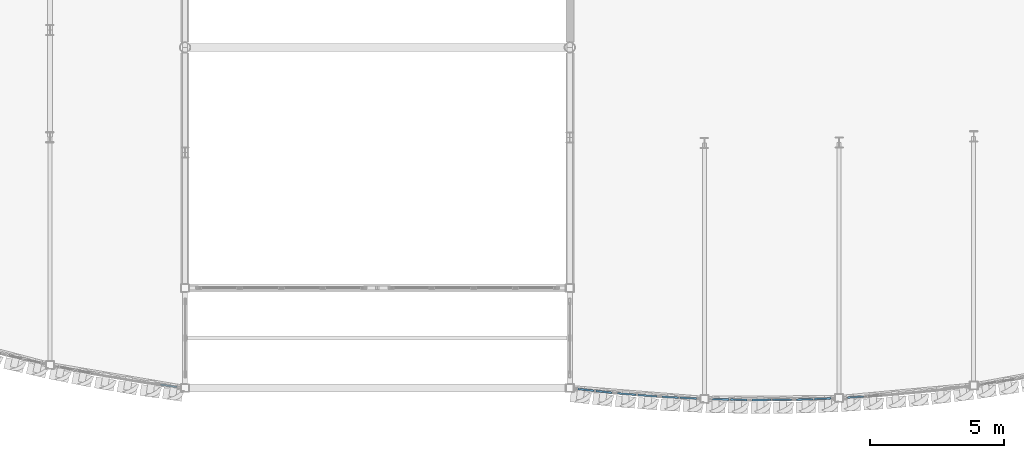
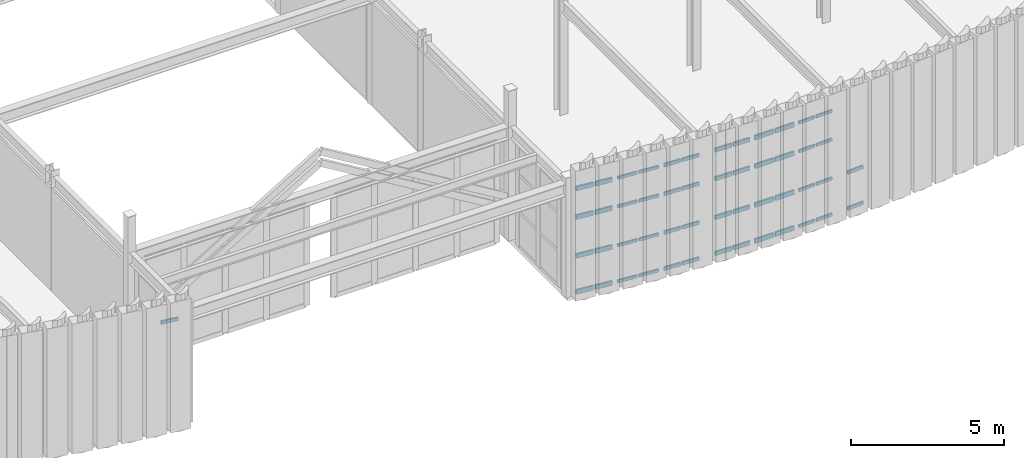
# One storey, part 75 of 126: 51 members, 8 elements without a shape of their own.
"""IFC4 building model written with IfcOpenShell, lengths in metres."""

from ifc_helpers import new_model, si_unit, direction, frame, origin, origin_2d, place, context, subcontext, project, spatial, hollow_rectangle, extrude, material, layer, layer_set, material_profile, profile_set, type_object, element, aggregate, save


model = new_model("IFC4")

# Units and contexts
model_context = context("Model", 3, precision=1e-05, world=origin(), true_north=direction((0.0, 1.0)))
body_context = subcontext(model_context, "Body", "Model", "MODEL_VIEW")
ifc_project = project(units=[si_unit("LENGTHUNIT", "METRE"), si_unit("AREAUNIT", "SQUARE_METRE"), si_unit("VOLUMEUNIT", "CUBIC_METRE"), si_unit("PLANEANGLEUNIT", "RADIAN"), si_unit("MASSUNIT", "GRAM", prefix="KILO")], contexts=[model_context])

# Site, building, storey
site_placement = place(None, origin())
site = spatial("IfcSite", under=ifc_project, at=site_placement, CompositionType="ELEMENT")
building_placement = place(site_placement, origin())
building = spatial("IfcBuilding", under=site, at=building_placement, Name="Solvadek Multi-Sports Hall", CompositionType="ELEMENT")
storey_placement = place(building_placement, frame((0.0, 0.0, 9.60009765625)))
storey = spatial("IfcBuildingStorey", under=building, at=storey_placement, Name="L02", CompositionType="ELEMENT", Elevation=9.60009765625)

# Curtain wall, members
ifc_material = material(Name="Anodised aluminium", Category="aluminium")
ifc_layer_1 = layer(ifc_material, 0.159912109375, Name="Anodised aluminium")
ifc_layer_set_1 = layer_set([ifc_layer_1], Name="Anodised aluminium")
curtain_wall_type_1 = type_object("IfcCurtainWallType", Name="ENV-CW-163X420", PredefinedType="USERDEFINED", material=ifc_layer_set_1)
curtain_wall_1_placement = place(storey_placement, origin())
curtain_wall_1 = element("IfcCurtainWall", 1, at=curtain_wall_1_placement, inside=storey, type_object=curtain_wall_type_1, Name="L02 Crescent Curved Curtain Wall #58", ObjectType="CURTAIN WALL", PredefinedType="USERDEFINED")
ifc_material_profile_1 = material_profile(ifc_material, hollow_rectangle(XDim=0.06005859375, YDim=0.1201171875, WallThickness=0.00390625, at=origin_2d()), Name="ALU-T 120x60x4")
ifc_profile_set_1 = profile_set([ifc_material_profile_1], Name="Anodised aluminium")
member_type_1 = type_object("IfcMemberType", Name="ENV-CWT-01", PredefinedType="USERDEFINED", material=ifc_profile_set_1)
member_1_placement = place(storey_placement, frame((88.1796875, -12.945556640625, 0.02978515625), z_axis=(0.996735804633, -0.080732495079, 0.0), x_axis=(0.080732495079, 0.996735804633, 0.0)))
member_1 = element("IfcMember", 2, at=member_1_placement, type_object=member_type_1, Name="CW-15 transom 1.1", ObjectType="TRANSOM", PredefinedType="USERDEFINED", context=body_context, shape_type="SweptSolid", body=[
    extrude(hollow_rectangle(XDim=0.06005859375, YDim=0.1201171875, WallThickness=0.00390625, at=origin_2d()), origin(), (0.0, 0.0, 1.0), 0.70751953125),
])
member_2_placement = place(storey_placement, frame((88.1796875, -12.945556640625, 1.469970703125), z_axis=(0.996735804633, -0.080732495079, 0.0), x_axis=(0.080732495079, 0.996735804633, 0.0)))
member_2 = element("IfcMember", 3, at=member_2_placement, type_object=member_type_1, Name="CW-15 transom 1.2", ObjectType="TRANSOM", PredefinedType="USERDEFINED", context=body_context, shape_type="SweptSolid", body=[
    extrude(hollow_rectangle(XDim=0.06005859375, YDim=0.1201171875, WallThickness=0.00390625, at=origin_2d()), origin(), (0.0, 0.0, 1.0), 0.70751953125),
])
member_3_placement = place(storey_placement, frame((88.1796875, -12.945556640625, 3.02392578125), z_axis=(0.996735804633, -0.080732495079, 0.0), x_axis=(0.080732495079, 0.996735804633, 0.0)))
member_3 = element("IfcMember", 4, at=member_3_placement, type_object=member_type_1, Name="CW-15 transom 1.3", ObjectType="TRANSOM", PredefinedType="USERDEFINED", context=body_context, shape_type="SweptSolid", body=[
    extrude(hollow_rectangle(XDim=0.06005859375, YDim=0.1201171875, WallThickness=0.00390625, at=origin_2d()), origin(), (0.0, 0.0, 1.0), 0.70751953125),
])
member_4_placement = place(storey_placement, frame((88.1796875, -12.945556640625, 4.169921875), z_axis=(0.996735804633, -0.080732495079, 0.0), x_axis=(0.080732495079, 0.996735804633, 0.0)))
member_4 = element("IfcMember", 5, at=member_4_placement, type_object=member_type_1, Name="CW-15 transom 1.4", ObjectType="TRANSOM", PredefinedType="USERDEFINED", context=body_context, shape_type="SweptSolid", body=[
    extrude(hollow_rectangle(XDim=0.06005859375, YDim=0.1201171875, WallThickness=0.00390625, at=origin_2d()), origin(), (0.0, 0.0, 1.0), 0.70751953125),
])
member_5_placement = place(storey_placement, frame((88.954833984375, -13.00830078125, 0.02978515625), z_axis=(0.996765737665, -0.080362081964, 0.0), x_axis=(0.080362081964, 0.996765737665, 0.0)))
member_5 = element("IfcMember", 6, at=member_5_placement, type_object=member_type_1, Name="CW-15 transom 2.1", ObjectType="TRANSOM", PredefinedType="USERDEFINED", context=body_context, shape_type="SweptSolid", body=[
    extrude(hollow_rectangle(XDim=0.06005859375, YDim=0.1201171875, WallThickness=0.00390625, at=origin_2d()), origin(), (0.0, 0.0, 1.0), 0.707763671875),
])
member_6_placement = place(storey_placement, frame((88.954833984375, -13.00830078125, 1.469970703125), z_axis=(0.996765737665, -0.080362081964, 0.0), x_axis=(0.080362081964, 0.996765737665, 0.0)))
member_6 = element("IfcMember", 7, at=member_6_placement, type_object=member_type_1, Name="CW-15 transom 2.2", ObjectType="TRANSOM", PredefinedType="USERDEFINED", context=body_context, shape_type="SweptSolid", body=[
    extrude(hollow_rectangle(XDim=0.06005859375, YDim=0.1201171875, WallThickness=0.00390625, at=origin_2d()), origin(), (0.0, 0.0, 1.0), 0.707763671875),
])
member_7_placement = place(storey_placement, frame((88.954833984375, -13.00830078125, 3.02392578125), z_axis=(0.996765737665, -0.080362081964, 0.0), x_axis=(0.080362081964, 0.996765737665, 0.0)))
member_7 = element("IfcMember", 8, at=member_7_placement, type_object=member_type_1, Name="CW-15 transom 2.3", ObjectType="TRANSOM", PredefinedType="USERDEFINED", context=body_context, shape_type="SweptSolid", body=[
    extrude(hollow_rectangle(XDim=0.06005859375, YDim=0.1201171875, WallThickness=0.00390625, at=origin_2d()), origin(), (0.0, 0.0, 1.0), 0.707763671875),
])
member_8_placement = place(storey_placement, frame((88.954833984375, -13.00830078125, 4.169921875), z_axis=(0.996765737665, -0.080362081964, 0.0), x_axis=(0.080362081964, 0.996765737665, 0.0)))
member_8 = element("IfcMember", 9, at=member_8_placement, type_object=member_type_1, Name="CW-15 transom 2.4", ObjectType="TRANSOM", PredefinedType="USERDEFINED", context=body_context, shape_type="SweptSolid", body=[
    extrude(hollow_rectangle(XDim=0.06005859375, YDim=0.1201171875, WallThickness=0.00390625, at=origin_2d()), origin(), (0.0, 0.0, 1.0), 0.707763671875),
])
aggregate(curtain_wall_1, [member_1, member_2, member_3, member_4, member_5, member_6, member_7, member_8])

ifc_layer_2 = layer(ifc_material, 0.159912109375, Name="Anodised aluminium")
ifc_layer_set_2 = layer_set([ifc_layer_2], Name="Anodised aluminium")
curtain_wall_type_2 = type_object("IfcCurtainWallType", Name="ENV-CW-141X420", PredefinedType="USERDEFINED", material=ifc_layer_set_2)
curtain_wall_2_placement = place(storey_placement, origin())
curtain_wall_2 = element("IfcCurtainWall", 10, at=curtain_wall_2_placement, inside=storey, type_object=curtain_wall_type_2, Name="L02 Crescent Curved Curtain Wall #66", ObjectType="CURTAIN WALL", PredefinedType="USERDEFINED")
member_9_placement = place(storey_placement, frame((94.89501953125, -13.184326171875, 0.02978515625), z_axis=(0.999375577373, 0.035333487669, 0.0), x_axis=(-0.035333487669, 0.999375577373, 0.0)))
member_9 = element("IfcMember", 11, at=member_9_placement, type_object=member_type_1, Name="CW-28 transom 1.1", ObjectType="TRANSOM", PredefinedType="USERDEFINED", context=body_context, shape_type="SweptSolid", body=[
    extrude(hollow_rectangle(XDim=0.06005859375, YDim=0.1201171875, WallThickness=0.00390625, at=origin_2d()), origin(), (0.0, 0.0, 1.0), 0.608154296875),
])
member_10_placement = place(storey_placement, frame((94.89501953125, -13.184326171875, 1.469970703125), z_axis=(0.999375577373, 0.035333487669, 0.0), x_axis=(-0.035333487669, 0.999375577373, 0.0)))
member_10 = element("IfcMember", 12, at=member_10_placement, type_object=member_type_1, Name="CW-28 transom 1.2", ObjectType="TRANSOM", PredefinedType="USERDEFINED", context=body_context, shape_type="SweptSolid", body=[
    extrude(hollow_rectangle(XDim=0.06005859375, YDim=0.1201171875, WallThickness=0.00390625, at=origin_2d()), origin(), (0.0, 0.0, 1.0), 0.608154296875),
])
member_11_placement = place(storey_placement, frame((94.89501953125, -13.184326171875, 3.02392578125), z_axis=(0.999375577373, 0.035333487669, 0.0), x_axis=(-0.035333487669, 0.999375577373, 0.0)))
member_11 = element("IfcMember", 13, at=member_11_placement, type_object=member_type_1, Name="CW-28 transom 1.3", ObjectType="TRANSOM", PredefinedType="USERDEFINED", context=body_context, shape_type="SweptSolid", body=[
    extrude(hollow_rectangle(XDim=0.06005859375, YDim=0.1201171875, WallThickness=0.00390625, at=origin_2d()), origin(), (0.0, 0.0, 1.0), 0.608154296875),
])
member_12_placement = place(storey_placement, frame((94.89501953125, -13.184326171875, 4.169921875), z_axis=(0.999375577373, 0.035333487669, 0.0), x_axis=(-0.035333487669, 0.999375577373, 0.0)))
member_12 = element("IfcMember", 14, at=member_12_placement, type_object=member_type_1, Name="CW-28 transom 1.4", ObjectType="TRANSOM", PredefinedType="USERDEFINED", context=body_context, shape_type="SweptSolid", body=[
    extrude(hollow_rectangle(XDim=0.06005859375, YDim=0.1201171875, WallThickness=0.00390625, at=origin_2d()), origin(), (0.0, 0.0, 1.0), 0.608154296875),
])
member_13_placement = place(storey_placement, frame((95.567626953125, -13.16064453125, 0.02978515625), z_axis=(0.999389184984, 0.034946486774, 0.0), x_axis=(-0.034946486774, 0.999389184984, 0.0)))
member_13 = element("IfcMember", 15, at=member_13_placement, type_object=member_type_1, Name="CW-28 transom 2.1", ObjectType="TRANSOM", PredefinedType="USERDEFINED", context=body_context, shape_type="SweptSolid", body=[
    extrude(hollow_rectangle(XDim=0.06005859375, YDim=0.1201171875, WallThickness=0.00390625, at=origin_2d()), origin(), (0.0, 0.0, 1.0), 0.60791015625),
])
member_14_placement = place(storey_placement, frame((95.567626953125, -13.16064453125, 1.469970703125), z_axis=(0.999389184984, 0.034946486774, 0.0), x_axis=(-0.034946486774, 0.999389184984, 0.0)))
member_14 = element("IfcMember", 16, at=member_14_placement, type_object=member_type_1, Name="CW-28 transom 2.2", ObjectType="TRANSOM", PredefinedType="USERDEFINED", context=body_context, shape_type="SweptSolid", body=[
    extrude(hollow_rectangle(XDim=0.06005859375, YDim=0.1201171875, WallThickness=0.00390625, at=origin_2d()), origin(), (0.0, 0.0, 1.0), 0.60791015625),
])
member_15_placement = place(storey_placement, frame((95.567626953125, -13.16064453125, 3.02392578125), z_axis=(0.999389184984, 0.034946486774, 0.0), x_axis=(-0.034946486774, 0.999389184984, 0.0)))
member_15 = element("IfcMember", 17, at=member_15_placement, type_object=member_type_1, Name="CW-28 transom 2.3", ObjectType="TRANSOM", PredefinedType="USERDEFINED", context=body_context, shape_type="SweptSolid", body=[
    extrude(hollow_rectangle(XDim=0.06005859375, YDim=0.1201171875, WallThickness=0.00390625, at=origin_2d()), origin(), (0.0, 0.0, 1.0), 0.60791015625),
])
member_16_placement = place(storey_placement, frame((95.567626953125, -13.16064453125, 4.169921875), z_axis=(0.999389184984, 0.034946486774, 0.0), x_axis=(-0.034946486774, 0.999389184984, 0.0)))
member_16 = element("IfcMember", 18, at=member_16_placement, type_object=member_type_1, Name="CW-28 transom 2.4", ObjectType="TRANSOM", PredefinedType="USERDEFINED", context=body_context, shape_type="SweptSolid", body=[
    extrude(hollow_rectangle(XDim=0.06005859375, YDim=0.1201171875, WallThickness=0.00390625, at=origin_2d()), origin(), (0.0, 0.0, 1.0), 0.60791015625),
])
aggregate(curtain_wall_2, [member_9, member_10, member_11, member_12, member_13, member_14, member_15, member_16])

# Curtain wall, member
ifc_layer_3 = layer(ifc_material, 0.159912109375, Name="Anodised aluminium")
ifc_layer_set_3 = layer_set([ifc_layer_3], Name="Anodised aluminium")
curtain_wall_type_3 = type_object("IfcCurtainWallType", Name="ENV-CW-143X420", PredefinedType="USERDEFINED", material=ifc_layer_set_3)
curtain_wall_3_placement = place(storey_placement, origin())
curtain_wall_3 = element("IfcCurtainWall", 19, at=curtain_wall_3_placement, inside=storey, type_object=curtain_wall_type_3, Name="L02 Crescent Curved Curtain Wall #54", ObjectType="CURTAIN WALL", PredefinedType="USERDEFINED")
ifc_material_profile_2 = material_profile(ifc_material, hollow_rectangle(XDim=0.06005859375, YDim=0.139892578125, WallThickness=0.00390625, at=origin_2d()), Name="ALU-T 140x60x4")
ifc_profile_set_2 = profile_set([ifc_material_profile_2], Name="Anodised aluminium")
member_type_2 = type_object("IfcMemberType", Name="ENV-CWT-02", PredefinedType="USERDEFINED", material=ifc_profile_set_2)
member_17_placement = place(storey_placement, frame((71.087158203125, -12.62548828125, 4.169921875), z_axis=(0.99041505799, -0.138123180195, 0.0), x_axis=(0.138123180195, 0.99041505799, 0.0)))
member_17 = element("IfcMember", 20, at=member_17_placement, type_object=member_type_2, Name="CW-26 transom 2.4", ObjectType="TRANSOM", PredefinedType="USERDEFINED", context=body_context, shape_type="SweptSolid", body=[
    extrude(hollow_rectangle(XDim=0.06005859375, YDim=0.139892578125, WallThickness=0.00390625, at=origin_2d()), origin(), (0.0, 0.0, 1.0), 0.611572265625),
])
aggregate(curtain_wall_3, [member_17])

# Curtain wall, members
curtain_wall_4_placement = place(storey_placement, origin())
curtain_wall_4 = element("IfcCurtainWall", 21, at=curtain_wall_4_placement, inside=storey, type_object=curtain_wall_type_2, Name="L02 Crescent Curved Curtain Wall #60", ObjectType="CURTAIN WALL", PredefinedType="USERDEFINED")
member_18_placement = place(storey_placement, frame((89.849853515625, -13.077880859375, 0.02978515625), z_axis=(0.998672025125, -0.051518794947, 0.0), x_axis=(0.051518794947, 0.998672025125, 0.0)))
member_18 = element("IfcMember", 22, at=member_18_placement, type_object=member_type_2, Name="CW-28 transom 1.1", ObjectType="TRANSOM", PredefinedType="USERDEFINED", context=body_context, shape_type="SweptSolid", body=[
    extrude(hollow_rectangle(XDim=0.06005859375, YDim=0.139892578125, WallThickness=0.00390625, at=origin_2d()), origin(), (0.0, 0.0, 1.0), 0.615966796875),
])
member_19_placement = place(storey_placement, frame((89.849853515625, -13.077880859375, 1.469970703125), z_axis=(0.998672025125, -0.051518794947, 0.0), x_axis=(0.051518794947, 0.998672025125, 0.0)))
member_19 = element("IfcMember", 23, at=member_19_placement, type_object=member_type_2, Name="CW-28 transom 1.2", ObjectType="TRANSOM", PredefinedType="USERDEFINED", context=body_context, shape_type="SweptSolid", body=[
    extrude(hollow_rectangle(XDim=0.06005859375, YDim=0.139892578125, WallThickness=0.00390625, at=origin_2d()), origin(), (0.0, 0.0, 1.0), 0.615966796875),
])
member_20_placement = place(storey_placement, frame((89.849853515625, -13.077880859375, 3.02392578125), z_axis=(0.998672025125, -0.051518794947, 0.0), x_axis=(0.051518794947, 0.998672025125, 0.0)))
member_20 = element("IfcMember", 24, at=member_20_placement, type_object=member_type_2, Name="CW-28 transom 1.3", ObjectType="TRANSOM", PredefinedType="USERDEFINED", context=body_context, shape_type="SweptSolid", body=[
    extrude(hollow_rectangle(XDim=0.06005859375, YDim=0.139892578125, WallThickness=0.00390625, at=origin_2d()), origin(), (0.0, 0.0, 1.0), 0.615966796875),
])
member_21_placement = place(storey_placement, frame((89.849853515625, -13.077880859375, 4.169921875), z_axis=(0.998672025125, -0.051518794947, 0.0), x_axis=(0.051518794947, 0.998672025125, 0.0)))
member_21 = element("IfcMember", 25, at=member_21_placement, type_object=member_type_2, Name="CW-28 transom 1.4", ObjectType="TRANSOM", PredefinedType="USERDEFINED", context=body_context, shape_type="SweptSolid", body=[
    extrude(hollow_rectangle(XDim=0.06005859375, YDim=0.139892578125, WallThickness=0.00390625, at=origin_2d()), origin(), (0.0, 0.0, 1.0), 0.615966796875),
])
member_22_placement = place(storey_placement, frame((90.525146484375, -13.112548828125, 0.02978515625), z_axis=(0.998672025125, -0.051518794947, 0.0), x_axis=(0.051518794947, 0.998672025125, 0.0)))
member_22 = element("IfcMember", 26, at=member_22_placement, type_object=member_type_2, Name="CW-28 transom 2.1", ObjectType="TRANSOM", PredefinedType="USERDEFINED", context=body_context, shape_type="SweptSolid", body=[
    extrude(hollow_rectangle(XDim=0.06005859375, YDim=0.139892578125, WallThickness=0.00390625, at=origin_2d()), origin(), (0.0, 0.0, 1.0), 0.615966796875),
])
member_23_placement = place(storey_placement, frame((90.525146484375, -13.112548828125, 1.469970703125), z_axis=(0.998672025125, -0.051518794947, 0.0), x_axis=(0.051518794947, 0.998672025125, 0.0)))
member_23 = element("IfcMember", 27, at=member_23_placement, type_object=member_type_2, Name="CW-28 transom 2.2", ObjectType="TRANSOM", PredefinedType="USERDEFINED", context=body_context, shape_type="SweptSolid", body=[
    extrude(hollow_rectangle(XDim=0.06005859375, YDim=0.139892578125, WallThickness=0.00390625, at=origin_2d()), origin(), (0.0, 0.0, 1.0), 0.615966796875),
])
member_24_placement = place(storey_placement, frame((90.525146484375, -13.112548828125, 3.02392578125), z_axis=(0.998672025125, -0.051518794947, 0.0), x_axis=(0.051518794947, 0.998672025125, 0.0)))
member_24 = element("IfcMember", 28, at=member_24_placement, type_object=member_type_2, Name="CW-28 transom 2.3", ObjectType="TRANSOM", PredefinedType="USERDEFINED", context=body_context, shape_type="SweptSolid", body=[
    extrude(hollow_rectangle(XDim=0.06005859375, YDim=0.139892578125, WallThickness=0.00390625, at=origin_2d()), origin(), (0.0, 0.0, 1.0), 0.615966796875),
])
member_25_placement = place(storey_placement, frame((90.525146484375, -13.112548828125, 4.169921875), z_axis=(0.998672025125, -0.051518794947, 0.0), x_axis=(0.051518794947, 0.998672025125, 0.0)))
member_25 = element("IfcMember", 29, at=member_25_placement, type_object=member_type_2, Name="CW-28 transom 2.4", ObjectType="TRANSOM", PredefinedType="USERDEFINED", context=body_context, shape_type="SweptSolid", body=[
    extrude(hollow_rectangle(XDim=0.06005859375, YDim=0.139892578125, WallThickness=0.00390625, at=origin_2d()), origin(), (0.0, 0.0, 1.0), 0.615966796875),
])
aggregate(curtain_wall_4, [member_18, member_19, member_20, member_21, member_22, member_23, member_24, member_25])

curtain_wall_5_placement = place(storey_placement, origin())
curtain_wall_5 = element("IfcCurtainWall", 30, at=curtain_wall_5_placement, inside=storey, type_object=curtain_wall_type_2, Name="L02 Crescent Curved Curtain Wall #68", ObjectType="CURTAIN WALL", PredefinedType="USERDEFINED")
member_26_placement = place(storey_placement, frame((96.789306640625, -13.10888671875, 0.02978515625), z_axis=(0.997969631535, 0.063691557785, 0.0), x_axis=(-0.063691557785, 0.997969631535, 0.0)))
member_26 = element("IfcMember", 31, at=member_26_placement, type_object=member_type_2, Name="CW-28 transom 1.1", ObjectType="TRANSOM", PredefinedType="USERDEFINED", context=body_context, shape_type="SweptSolid", body=[
    extrude(hollow_rectangle(XDim=0.06005859375, YDim=0.139892578125, WallThickness=0.00390625, at=origin_2d()), origin(), (0.0, 0.0, 1.0), 0.601806640625),
])
member_27_placement = place(storey_placement, frame((96.789306640625, -13.10888671875, 1.469970703125), z_axis=(0.997969631535, 0.063691557785, 0.0), x_axis=(-0.063691557785, 0.997969631535, 0.0)))
member_27 = element("IfcMember", 32, at=member_27_placement, type_object=member_type_2, Name="CW-28 transom 1.2", ObjectType="TRANSOM", PredefinedType="USERDEFINED", context=body_context, shape_type="SweptSolid", body=[
    extrude(hollow_rectangle(XDim=0.06005859375, YDim=0.139892578125, WallThickness=0.00390625, at=origin_2d()), origin(), (0.0, 0.0, 1.0), 0.601806640625),
])
aggregate(curtain_wall_5, [member_26, member_27])

curtain_wall_6_placement = place(storey_placement, origin())
curtain_wall_6 = element("IfcCurtainWall", 33, at=curtain_wall_6_placement, inside=storey, type_object=curtain_wall_type_2, Name="L02 Crescent Curved Curtain Wall #62", ObjectType="CURTAIN WALL", PredefinedType="USERDEFINED")
ifc_material_profile_3 = material_profile(ifc_material, hollow_rectangle(XDim=0.06494140625, YDim=0.159912109375, WallThickness=0.00390625, at=origin_2d()), Name="ALU-T 160x65x4")
ifc_profile_set_3 = profile_set([ifc_material_profile_3], Name="Anodised aluminium")
member_type_3 = type_object("IfcMemberType", Name="ENV-CWT-03", PredefinedType="USERDEFINED", material=ifc_profile_set_3)
member_28_placement = place(storey_placement, frame((91.739990234375, -13.166748046875, 0.032470703125), z_axis=(0.99974408447, -0.022622236131, 0.0), x_axis=(0.022622236131, 0.99974408447, 0.0)))
member_28 = element("IfcMember", 34, at=member_28_placement, type_object=member_type_3, Name="CW-28 transom 1.1", ObjectType="TRANSOM", PredefinedType="USERDEFINED", context=body_context, shape_type="SweptSolid", body=[
    extrude(hollow_rectangle(XDim=0.06494140625, YDim=0.159912109375, WallThickness=0.00390625, at=origin_2d()), origin(), (0.0, 0.0, 1.0), 0.615234375),
])
member_29_placement = place(storey_placement, frame((91.739990234375, -13.166748046875, 1.469970703125), z_axis=(0.99974408447, -0.022622236131, 0.0), x_axis=(0.022622236131, 0.99974408447, 0.0)))
member_29 = element("IfcMember", 35, at=member_29_placement, type_object=member_type_3, Name="CW-28 transom 1.2", ObjectType="TRANSOM", PredefinedType="USERDEFINED", context=body_context, shape_type="SweptSolid", body=[
    extrude(hollow_rectangle(XDim=0.06494140625, YDim=0.159912109375, WallThickness=0.00390625, at=origin_2d()), origin(), (0.0, 0.0, 1.0), 0.615234375),
])
member_30_placement = place(storey_placement, frame((91.739990234375, -13.166748046875, 3.02392578125), z_axis=(0.99974408447, -0.022622236131, 0.0), x_axis=(0.022622236131, 0.99974408447, 0.0)))
member_30 = element("IfcMember", 36, at=member_30_placement, type_object=member_type_3, Name="CW-28 transom 1.3", ObjectType="TRANSOM", PredefinedType="USERDEFINED", context=body_context, shape_type="SweptSolid", body=[
    extrude(hollow_rectangle(XDim=0.06494140625, YDim=0.159912109375, WallThickness=0.00390625, at=origin_2d()), origin(), (0.0, 0.0, 1.0), 0.615234375),
])
member_31_placement = place(storey_placement, frame((91.739990234375, -13.166748046875, 4.16748046875), z_axis=(0.99974408447, -0.022622236131, 0.0), x_axis=(0.022622236131, 0.99974408447, 0.0)))
member_31 = element("IfcMember", 37, at=member_31_placement, type_object=member_type_3, Name="CW-28 transom 1.4", ObjectType="TRANSOM", PredefinedType="USERDEFINED", context=body_context, shape_type="SweptSolid", body=[
    extrude(hollow_rectangle(XDim=0.06494140625, YDim=0.159912109375, WallThickness=0.00390625, at=origin_2d()), origin(), (0.0, 0.0, 1.0), 0.615234375),
])
member_32_placement = place(storey_placement, frame((92.4150390625, -13.181884765625, 0.032470703125), z_axis=(0.99973502981, -0.023018908983, 0.0), x_axis=(0.023018908983, 0.99973502981, 0.0)))
member_32 = element("IfcMember", 38, at=member_32_placement, type_object=member_type_3, Name="CW-28 transom 2.1", ObjectType="TRANSOM", PredefinedType="USERDEFINED", context=body_context, shape_type="SweptSolid", body=[
    extrude(hollow_rectangle(XDim=0.06494140625, YDim=0.159912109375, WallThickness=0.00390625, at=origin_2d()), origin(), (0.0, 0.0, 1.0), 0.615234375),
])
member_33_placement = place(storey_placement, frame((92.4150390625, -13.181884765625, 1.469970703125), z_axis=(0.99973502981, -0.023018908983, 0.0), x_axis=(0.023018908983, 0.99973502981, 0.0)))
member_33 = element("IfcMember", 39, at=member_33_placement, type_object=member_type_3, Name="CW-28 transom 2.2", ObjectType="TRANSOM", PredefinedType="USERDEFINED", context=body_context, shape_type="SweptSolid", body=[
    extrude(hollow_rectangle(XDim=0.06494140625, YDim=0.159912109375, WallThickness=0.00390625, at=origin_2d()), origin(), (0.0, 0.0, 1.0), 0.615234375),
])
member_34_placement = place(storey_placement, frame((92.4150390625, -13.181884765625, 3.02392578125), z_axis=(0.99973502981, -0.023018908983, 0.0), x_axis=(0.023018908983, 0.99973502981, 0.0)))
member_34 = element("IfcMember", 40, at=member_34_placement, type_object=member_type_3, Name="CW-28 transom 2.3", ObjectType="TRANSOM", PredefinedType="USERDEFINED", context=body_context, shape_type="SweptSolid", body=[
    extrude(hollow_rectangle(XDim=0.06494140625, YDim=0.159912109375, WallThickness=0.00390625, at=origin_2d()), origin(), (0.0, 0.0, 1.0), 0.615234375),
])
member_35_placement = place(storey_placement, frame((92.4150390625, -13.181884765625, 4.16748046875), z_axis=(0.99973502981, -0.023018908983, 0.0), x_axis=(0.023018908983, 0.99973502981, 0.0)))
member_35 = element("IfcMember", 41, at=member_35_placement, type_object=member_type_3, Name="CW-28 transom 2.4", ObjectType="TRANSOM", PredefinedType="USERDEFINED", context=body_context, shape_type="SweptSolid", body=[
    extrude(hollow_rectangle(XDim=0.06494140625, YDim=0.159912109375, WallThickness=0.00390625, at=origin_2d()), origin(), (0.0, 0.0, 1.0), 0.615234375),
])
aggregate(curtain_wall_6, [member_28, member_29, member_30, member_31, member_32, member_33, member_34, member_35])

ifc_layer_4 = layer(ifc_material, 0.159912109375, Name="Anodised aluminium")
ifc_layer_set_4 = layer_set([ifc_layer_4], Name="Anodised aluminium")
curtain_wall_type_4 = type_object("IfcCurtainWallType", Name="ENV-CW-142X420", PredefinedType="USERDEFINED", material=ifc_layer_set_4)
curtain_wall_7_placement = place(storey_placement, origin())
curtain_wall_7 = element("IfcCurtainWall", 42, at=curtain_wall_7_placement, inside=storey, type_object=curtain_wall_type_4, Name="L02 Crescent Curved Curtain Wall #56", ObjectType="CURTAIN WALL", PredefinedType="USERDEFINED")
ifc_material_profile_4 = material_profile(ifc_material, hollow_rectangle(XDim=0.06494140625, YDim=0.179931640625, WallThickness=0.0048828125, at=origin_2d()), Name="ALU-T 180x65x5")
ifc_profile_set_4 = profile_set([ifc_material_profile_4], Name="Anodised aluminium")
member_type_4 = type_object("IfcMemberType", Name="ENV-CWT-04", PredefinedType="USERDEFINED", material=ifc_profile_set_4)
member_36_placement = place(storey_placement, frame((86.703125, -12.7861328125, 0.032470703125), z_axis=(0.994019075008, -0.109206586428, 0.0), x_axis=(0.109206586428, 0.994019075008, 0.0)))
member_36 = element("IfcMember", 43, at=member_36_placement, type_object=member_type_4, Name="CW-27 transom 1.1", ObjectType="TRANSOM", PredefinedType="USERDEFINED", context=body_context, shape_type="SweptSolid", body=[
    extrude(hollow_rectangle(XDim=0.06494140625, YDim=0.179931640625, WallThickness=0.0048828125, at=origin_2d()), origin(), (0.0, 0.0, 1.0), 0.612548828125),
])
member_37_placement = place(storey_placement, frame((86.703125, -12.7861328125, 1.469970703125), z_axis=(0.994019075008, -0.109206586428, 0.0), x_axis=(0.109206586428, 0.994019075008, 0.0)))
member_37 = element("IfcMember", 44, at=member_37_placement, type_object=member_type_4, Name="CW-27 transom 1.2", ObjectType="TRANSOM", PredefinedType="USERDEFINED", context=body_context, shape_type="SweptSolid", body=[
    extrude(hollow_rectangle(XDim=0.06494140625, YDim=0.179931640625, WallThickness=0.0048828125, at=origin_2d()), origin(), (0.0, 0.0, 1.0), 0.612548828125),
])
member_38_placement = place(storey_placement, frame((86.703125, -12.7861328125, 3.02392578125), z_axis=(0.994019075008, -0.109206586428, 0.0), x_axis=(0.109206586428, 0.994019075008, 0.0)))
member_38 = element("IfcMember", 45, at=member_38_placement, type_object=member_type_4, Name="CW-27 transom 1.3", ObjectType="TRANSOM", PredefinedType="USERDEFINED", context=body_context, shape_type="SweptSolid", body=[
    extrude(hollow_rectangle(XDim=0.06494140625, YDim=0.179931640625, WallThickness=0.0048828125, at=origin_2d()), origin(), (0.0, 0.0, 1.0), 0.612548828125),
])
member_39_placement = place(storey_placement, frame((86.703125, -12.7861328125, 4.16748046875), z_axis=(0.994019075008, -0.109206586428, 0.0), x_axis=(0.109206586428, 0.994019075008, 0.0)))
member_39 = element("IfcMember", 46, at=member_39_placement, type_object=member_type_4, Name="CW-27 transom 1.4", ObjectType="TRANSOM", PredefinedType="USERDEFINED", context=body_context, shape_type="SweptSolid", body=[
    extrude(hollow_rectangle(XDim=0.06494140625, YDim=0.179931640625, WallThickness=0.0048828125, at=origin_2d()), origin(), (0.0, 0.0, 1.0), 0.612548828125),
])
member_40_placement = place(storey_placement, frame((87.376708984375, -12.8603515625, 0.032470703125), z_axis=(0.994019075008, -0.109206586428, 0.0), x_axis=(0.109206586428, 0.994019075008, 0.0)))
member_40 = element("IfcMember", 47, at=member_40_placement, type_object=member_type_4, Name="CW-27 transom 2.1", ObjectType="TRANSOM", PredefinedType="USERDEFINED", context=body_context, shape_type="SweptSolid", body=[
    extrude(hollow_rectangle(XDim=0.06494140625, YDim=0.179931640625, WallThickness=0.0048828125, at=origin_2d()), origin(), (0.0, 0.0, 1.0), 0.612548828125),
])
member_41_placement = place(storey_placement, frame((87.376708984375, -12.8603515625, 1.469970703125), z_axis=(0.994019075008, -0.109206586428, 0.0), x_axis=(0.109206586428, 0.994019075008, 0.0)))
member_41 = element("IfcMember", 48, at=member_41_placement, type_object=member_type_4, Name="CW-27 transom 2.2", ObjectType="TRANSOM", PredefinedType="USERDEFINED", context=body_context, shape_type="SweptSolid", body=[
    extrude(hollow_rectangle(XDim=0.06494140625, YDim=0.179931640625, WallThickness=0.0048828125, at=origin_2d()), origin(), (0.0, 0.0, 1.0), 0.612548828125),
])
member_42_placement = place(storey_placement, frame((87.376708984375, -12.8603515625, 3.02392578125), z_axis=(0.994019075008, -0.109206586428, 0.0), x_axis=(0.109206586428, 0.994019075008, 0.0)))
member_42 = element("IfcMember", 49, at=member_42_placement, type_object=member_type_4, Name="CW-27 transom 2.3", ObjectType="TRANSOM", PredefinedType="USERDEFINED", context=body_context, shape_type="SweptSolid", body=[
    extrude(hollow_rectangle(XDim=0.06494140625, YDim=0.179931640625, WallThickness=0.0048828125, at=origin_2d()), origin(), (0.0, 0.0, 1.0), 0.612548828125),
])
member_43_placement = place(storey_placement, frame((87.376708984375, -12.8603515625, 4.16748046875), z_axis=(0.994019075008, -0.109206586428, 0.0), x_axis=(0.109206586428, 0.994019075008, 0.0)))
member_43 = element("IfcMember", 50, at=member_43_placement, type_object=member_type_4, Name="CW-27 transom 2.4", ObjectType="TRANSOM", PredefinedType="USERDEFINED", context=body_context, shape_type="SweptSolid", body=[
    extrude(hollow_rectangle(XDim=0.06494140625, YDim=0.179931640625, WallThickness=0.0048828125, at=origin_2d()), origin(), (0.0, 0.0, 1.0), 0.612548828125),
])
aggregate(curtain_wall_7, [member_36, member_37, member_38, member_39, member_40, member_41, member_42, member_43])

ifc_layer_5 = layer(ifc_material, 0.159912109375, Name="Anodised aluminium")
ifc_layer_set_5 = layer_set([ifc_layer_5], Name="Anodised aluminium")
curtain_wall_type_5 = type_object("IfcCurtainWallType", Name="ENV-CW-162X420", PredefinedType="USERDEFINED", material=ifc_layer_set_5)
curtain_wall_8_placement = place(storey_placement, origin())
curtain_wall_8 = element("IfcCurtainWall", 51, at=curtain_wall_8_placement, inside=storey, type_object=curtain_wall_type_5, Name="L02 Crescent Curved Curtain Wall #64", ObjectType="CURTAIN WALL", PredefinedType="USERDEFINED")
member_44_placement = place(storey_placement, frame((93.215087890625, -13.197509765625, 0.032470703125), z_axis=(0.999980974677, 0.006168491276, 0.0), x_axis=(-0.006168491276, 0.999980974677, 0.0)))
member_44 = element("IfcMember", 52, at=member_44_placement, type_object=member_type_4, Name="CW-29 transom 1.1", ObjectType="TRANSOM", PredefinedType="USERDEFINED", context=body_context, shape_type="SweptSolid", body=[
    extrude(hollow_rectangle(XDim=0.06494140625, YDim=0.179931640625, WallThickness=0.0048828125, at=origin_2d()), origin(), (0.0, 0.0, 1.0), 0.71240234375),
])
member_45_placement = place(storey_placement, frame((93.215087890625, -13.197509765625, 1.469970703125), z_axis=(0.999980974677, 0.006168491276, 0.0), x_axis=(-0.006168491276, 0.999980974677, 0.0)))
member_45 = element("IfcMember", 53, at=member_45_placement, type_object=member_type_4, Name="CW-29 transom 1.2", ObjectType="TRANSOM", PredefinedType="USERDEFINED", context=body_context, shape_type="SweptSolid", body=[
    extrude(hollow_rectangle(XDim=0.06494140625, YDim=0.179931640625, WallThickness=0.0048828125, at=origin_2d()), origin(), (0.0, 0.0, 1.0), 0.71240234375),
])
member_46_placement = place(storey_placement, frame((93.215087890625, -13.197509765625, 3.02392578125), z_axis=(0.999980974677, 0.006168491276, 0.0), x_axis=(-0.006168491276, 0.999980974677, 0.0)))
member_46 = element("IfcMember", 54, at=member_46_placement, type_object=member_type_4, Name="CW-29 transom 1.3", ObjectType="TRANSOM", PredefinedType="USERDEFINED", context=body_context, shape_type="SweptSolid", body=[
    extrude(hollow_rectangle(XDim=0.06494140625, YDim=0.179931640625, WallThickness=0.0048828125, at=origin_2d()), origin(), (0.0, 0.0, 1.0), 0.71240234375),
])
member_47_placement = place(storey_placement, frame((93.215087890625, -13.197509765625, 4.16748046875), z_axis=(0.999980974677, 0.006168491276, 0.0), x_axis=(-0.006168491276, 0.999980974677, 0.0)))
member_47 = element("IfcMember", 55, at=member_47_placement, type_object=member_type_4, Name="CW-29 transom 1.4", ObjectType="TRANSOM", PredefinedType="USERDEFINED", context=body_context, shape_type="SweptSolid", body=[
    extrude(hollow_rectangle(XDim=0.06494140625, YDim=0.179931640625, WallThickness=0.0048828125, at=origin_2d()), origin(), (0.0, 0.0, 1.0), 0.71240234375),
])
member_48_placement = place(storey_placement, frame((93.992431640625, -13.192626953125, 0.032470703125), z_axis=(0.99998098771, 0.006166378136, 0.0), x_axis=(-0.006166378136, 0.99998098771, 0.0)))
member_48 = element("IfcMember", 56, at=member_48_placement, type_object=member_type_4, Name="CW-29 transom 2.1", ObjectType="TRANSOM", PredefinedType="USERDEFINED", context=body_context, shape_type="SweptSolid", body=[
    extrude(hollow_rectangle(XDim=0.06494140625, YDim=0.179931640625, WallThickness=0.0048828125, at=origin_2d()), origin(), (0.0, 0.0, 1.0), 0.712646484375),
])
member_49_placement = place(storey_placement, frame((93.992431640625, -13.192626953125, 1.469970703125), z_axis=(0.99998098771, 0.006166378136, 0.0), x_axis=(-0.006166378136, 0.99998098771, 0.0)))
member_49 = element("IfcMember", 57, at=member_49_placement, type_object=member_type_4, Name="CW-29 transom 2.2", ObjectType="TRANSOM", PredefinedType="USERDEFINED", context=body_context, shape_type="SweptSolid", body=[
    extrude(hollow_rectangle(XDim=0.06494140625, YDim=0.179931640625, WallThickness=0.0048828125, at=origin_2d()), origin(), (0.0, 0.0, 1.0), 0.712646484375),
])
member_50_placement = place(storey_placement, frame((93.992431640625, -13.192626953125, 3.02392578125), z_axis=(0.99998098771, 0.006166378136, 0.0), x_axis=(-0.006166378136, 0.99998098771, 0.0)))
member_50 = element("IfcMember", 58, at=member_50_placement, type_object=member_type_4, Name="CW-29 transom 2.3", ObjectType="TRANSOM", PredefinedType="USERDEFINED", context=body_context, shape_type="SweptSolid", body=[
    extrude(hollow_rectangle(XDim=0.06494140625, YDim=0.179931640625, WallThickness=0.0048828125, at=origin_2d()), origin(), (0.0, 0.0, 1.0), 0.712646484375),
])
member_51_placement = place(storey_placement, frame((93.992431640625, -13.192626953125, 4.16748046875), z_axis=(0.99998098771, 0.006166378136, 0.0), x_axis=(-0.006166378136, 0.99998098771, 0.0)))
member_51 = element("IfcMember", 59, at=member_51_placement, type_object=member_type_4, Name="CW-29 transom 2.4", ObjectType="TRANSOM", PredefinedType="USERDEFINED", context=body_context, shape_type="SweptSolid", body=[
    extrude(hollow_rectangle(XDim=0.06494140625, YDim=0.179931640625, WallThickness=0.0048828125, at=origin_2d()), origin(), (0.0, 0.0, 1.0), 0.712646484375),
])
aggregate(curtain_wall_8, [member_44, member_45, member_46, member_47, member_48, member_49, member_50, member_51])

save(model, "model.ifc")
